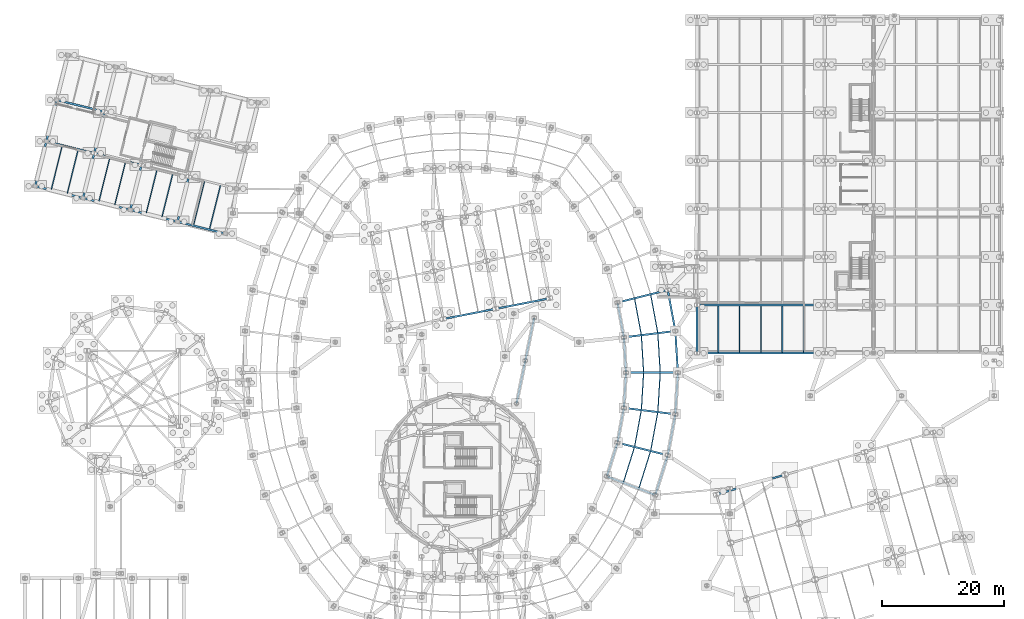
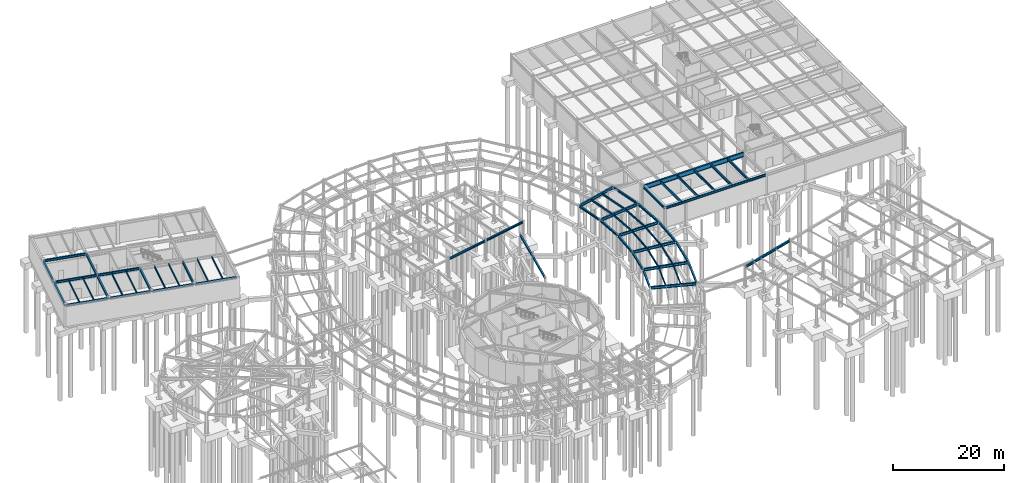
# One storey, part 32 of 50: 60 beams.
"""IFC4 building model written with IfcOpenShell, lengths in metres."""

from ifc_helpers import new_model, si_unit, direction, frame, origin, origin_2d, place, context, subcontext, project, spatial, i_section, extrude, material, material_profile, profile_set, type_object, element, save


model = new_model("IFC4")

# Units and contexts
model_context = context("Model", 3, precision=1e-05, world=origin(), true_north=direction((0.0, 1.0)))
body_context = subcontext(model_context, "Body", "Model", "MODEL_VIEW")
ifc_project = project(units=[si_unit("LENGTHUNIT", "METRE"), si_unit("AREAUNIT", "SQUARE_METRE"), si_unit("VOLUMEUNIT", "CUBIC_METRE"), si_unit("PLANEANGLEUNIT", "RADIAN"), si_unit("MASSUNIT", "GRAM", prefix="KILO")], contexts=[model_context])

# Site, building, storey
site_placement = place(None, origin())
site = spatial("IfcSite", under=ifc_project, at=site_placement, CompositionType="ELEMENT")
building_placement = place(site_placement, origin())
building = spatial("IfcBuilding", under=site, at=building_placement, Name="Varnklinge Art Gallery", CompositionType="ELEMENT")
storey_placement = place(building_placement, frame((0.0, 0.0, -4.800048828125)))
storey = spatial("IfcBuildingStorey", under=building, at=storey_placement, Name="B01", CompositionType="ELEMENT", Elevation=-4.800048828125)

# Beams
ifc_material_1 = material(Name="Steel S355", Category="steel")
ifc_material_profile_1 = material_profile(ifc_material_1, i_section(OverallWidth=0.300048828125, OverallDepth=1.0, WebThickness=0.01904296875, FlangeThickness=0.035888671875, FilletRadius=0.030029296875, at=origin_2d()), Name="HEB 1000")
ifc_profile_set_1 = profile_set([ifc_material_profile_1], Name="Steel S355")
beam_type_1 = type_object("IfcBeamType", Name="BM-01", PredefinedType="BEAM", material=ifc_profile_set_1)
beam_1_placement = place(storey_placement, frame((114.5400390625, 66.10009765625, 4.050048828125), z_axis=(1.0, 0.0, 0.0), x_axis=(0.0, 1.0, 0.0)))
element("IfcBeam", 1, at=beam_1_placement, inside=storey, type_object=beam_type_1, Name="B01 BM-01 BM-V1-L00-X1-0", PredefinedType="BEAM", context=body_context, shape_type="SweptSolid", body=[
    extrude(i_section(OverallWidth=0.300048828125, OverallDepth=1.0, WebThickness=0.01904296875, FlangeThickness=0.035888671875, FilletRadius=0.030029296875, at=origin_2d()), origin(), (0.0, 0.0, 1.0), 20.719970703125),
])
ifc_material_2 = material(Name="Steel S355", Category="steel")
ifc_material_profile_2 = material_profile(ifc_material_2, i_section(OverallWidth=0.300048828125, OverallDepth=0.590087890625, WebThickness=0.012939453125, FlangeThickness=0.02490234375, FilletRadius=0.027099609375, at=origin_2d()), Name="HEA 600")
ifc_profile_set_2 = profile_set([ifc_material_profile_2], Name="Steel S355")
beam_type_2 = type_object("IfcBeamType", Name="BM-06", PredefinedType="BEAM", material=ifc_profile_set_2)
beam_2_placement = place(storey_placement, frame((107.415771484375, 34.952880859375, 4.255126953125), z_axis=(-0.934013153302, 0.357238616976, 0.0), x_axis=(-0.357238616976, -0.934013153302, 0.0)))
element("IfcBeam", 2, at=beam_2_placement, inside=storey, type_object=beam_type_2, Name="B01 BM-06 BM-V2-L00-R04", PredefinedType="BEAM", context=body_context, shape_type="SweptSolid", body=[
    extrude(i_section(OverallWidth=0.300048828125, OverallDepth=0.590087890625, WebThickness=0.012939453125, FlangeThickness=0.02490234375, FilletRadius=0.027099609375, at=origin_2d()), origin(), (0.0, 0.0, 1.0), 8.237060546875),
])
beam_3_placement = place(storey_placement, frame((109.46240234375, 41.468017578125, 4.255126953125), z_axis=(-0.970493677731, 0.241126567355, 0.0), x_axis=(-0.241126567355, -0.970493677731, 0.0)))
element("IfcBeam", 3, at=beam_3_placement, inside=storey, type_object=beam_type_2, Name="B01 BM-06 BM-V2-L00-R05", PredefinedType="BEAM", context=body_context, shape_type="SweptSolid", body=[
    extrude(i_section(OverallWidth=0.300048828125, OverallDepth=0.590087890625, WebThickness=0.012939453125, FlangeThickness=0.02490234375, FilletRadius=0.027099609375, at=origin_2d()), origin(), (0.0, 0.0, 1.0), 8.236572265625),
])
for number, where, z_axis, x_axis, name in (
    (4, (110.702880859375, 48.18359375, 4.255126953125), (-0.992595580805, 0.121466098009, 0.0), (-0.121466098009, -0.992595580805, 0.0), "B01 BM-06 BM-V2-L00-R06"),
    (5, (111.118408203125, 55.0, 4.255126953125), (-1.0, 0.0, 0.0), (0.0, -1.0, 0.0), "B01 BM-06 BM-V2-L00-R07"),
    (6, (110.702880859375, 61.81640625, 4.255126953125), (-0.992595580805, -0.121466098009, 0.0), (0.121466098009, -0.992595580805, 0.0), "B01 BM-06 BM-V2-L00-R08"),
):
    element("IfcBeam", number, at=place(storey_placement, frame(where, z_axis=z_axis, x_axis=x_axis)), inside=storey, type_object=beam_type_2, Name=name, PredefinedType="BEAM", context=body_context, shape_type="SweptSolid", body=[
        extrude(i_section(OverallWidth=0.300048828125, OverallDepth=0.590087890625, WebThickness=0.012939453125, FlangeThickness=0.02490234375, FilletRadius=0.027099609375, at=origin_2d()), origin(), (0.0, 0.0, 1.0), 8.23681640625),
    ])
beam_4_placement = place(storey_placement, frame((109.46240234375, 68.531982421875, 4.255126953125), z_axis=(-0.970493677731, -0.241126567355, 0.0), x_axis=(0.241126567355, -0.970493677731, 0.0)))
element("IfcBeam", 7, at=beam_4_placement, inside=storey, type_object=beam_type_2, Name="B01 BM-06 BM-V2-L00-R09", PredefinedType="BEAM", context=body_context, shape_type="SweptSolid", body=[
    extrude(i_section(OverallWidth=0.300048828125, OverallDepth=0.590087890625, WebThickness=0.012939453125, FlangeThickness=0.02490234375, FilletRadius=0.027099609375, at=origin_2d()), origin(), (0.0, 0.0, 1.0), 8.236572265625),
])
ifc_material_3 = material(Name="Steel S355", Category="steel")
ifc_material_profile_3 = material_profile(ifc_material_3, i_section(OverallWidth=0.300048828125, OverallDepth=0.489990234375, WebThickness=0.011962890625, FlangeThickness=0.02294921875, FilletRadius=0.027099609375, at=origin_2d()), Name="HEA 500")
ifc_profile_set_3 = profile_set([ifc_material_profile_3], Name="Steel S355")
beam_type_3 = type_object("IfcBeamType", Name="BM-07", PredefinedType="BEAM", material=ifc_profile_set_3)
beam_5_placement = place(storey_placement, frame((5.82861328125, 85.5908203125, 4.304931640625), z_axis=(0.970296564102, -0.241918535239, 0.0), x_axis=(0.241918535239, 0.970296564102, 0.0)))
element("IfcBeam", 8, at=beam_5_placement, inside=storey, type_object=beam_type_3, Name="B01 BM-07 BM-V5-L00-U0-0", PredefinedType="BEAM", context=body_context, shape_type="SweptSolid", body=[
    extrude(i_section(OverallWidth=0.300048828125, OverallDepth=0.489990234375, WebThickness=0.011962890625, FlangeThickness=0.02294921875, FilletRadius=0.027099609375, at=origin_2d()), origin(), (0.0, 0.0, 1.0), 7.820068359375),
])
beam_6_placement = place(storey_placement, frame((13.68798828125, 83.631103515625, 4.304931640625), z_axis=(0.970304122122, -0.241888219213, 0.0), x_axis=(0.241888219213, 0.970304122122, 0.0)))
element("IfcBeam", 9, at=beam_6_placement, inside=storey, type_object=beam_type_3, Name="B01 BM-07 BM-V5-L00-U0-1", PredefinedType="BEAM", context=body_context, shape_type="SweptSolid", body=[
    extrude(i_section(OverallWidth=0.300048828125, OverallDepth=0.489990234375, WebThickness=0.011962890625, FlangeThickness=0.02294921875, FilletRadius=0.027099609375, at=origin_2d()), origin(), (0.0, 0.0, 1.0), 7.72021484375),
])
beam_7_placement = place(storey_placement, frame((21.450439453125, 81.69580078125, 4.304931640625), z_axis=(0.970294848706, -0.241925415312, 0.0), x_axis=(0.241925415312, 0.970294848706, 0.0)))
element("IfcBeam", 10, at=beam_7_placement, inside=storey, type_object=beam_type_3, Name="B01 BM-07 BM-V5-L00-U0-2", PredefinedType="BEAM", context=body_context, shape_type="SweptSolid", body=[
    extrude(i_section(OverallWidth=0.300048828125, OverallDepth=0.489990234375, WebThickness=0.011962890625, FlangeThickness=0.02294921875, FilletRadius=0.027099609375, at=origin_2d()), origin(), (0.0, 0.0, 1.0), 7.719970703125),
])
beam_8_placement = place(storey_placement, frame((29.212890625, 79.760498046875, 4.304931640625), z_axis=(0.970294736921, -0.241925863651, 0.0), x_axis=(0.241925863651, 0.970294736921, 0.0)))
element("IfcBeam", 11, at=beam_8_placement, inside=storey, type_object=beam_type_3, Name="B01 BM-07 BM-V5-L00-U0-3", PredefinedType="BEAM", context=body_context, shape_type="SweptSolid", body=[
    extrude(i_section(OverallWidth=0.300048828125, OverallDepth=0.489990234375, WebThickness=0.011962890625, FlangeThickness=0.02294921875, FilletRadius=0.027099609375, at=origin_2d()), origin(), (0.0, 0.0, 1.0), 7.81982421875),
])
beam_9_placement = place(storey_placement, frame((7.667236328125, 92.965087890625, 4.304931640625), z_axis=(0.970296564102, -0.241918535239, 0.0), x_axis=(0.241918535239, 0.970296564102, 0.0)))
element("IfcBeam", 12, at=beam_9_placement, inside=storey, type_object=beam_type_3, Name="B01 BM-07 BM-V5-L00-U1-0", PredefinedType="BEAM", context=body_context, shape_type="SweptSolid", body=[
    extrude(i_section(OverallWidth=0.300048828125, OverallDepth=0.489990234375, WebThickness=0.011962890625, FlangeThickness=0.02294921875, FilletRadius=0.027099609375, at=origin_2d()), origin(), (0.0, 0.0, 1.0), 7.820068359375),
])
beam_10_placement = place(storey_placement, frame((15.526611328125, 91.00537109375, 4.304931640625), z_axis=(0.970304122122, -0.241888219213, 0.0), x_axis=(0.241888219213, 0.970304122122, 0.0)))
element("IfcBeam", 13, at=beam_10_placement, inside=storey, type_object=beam_type_3, Name="B01 BM-07 BM-V5-L00-U1-1", PredefinedType="BEAM", context=body_context, shape_type="SweptSolid", body=[
    extrude(i_section(OverallWidth=0.300048828125, OverallDepth=0.489990234375, WebThickness=0.011962890625, FlangeThickness=0.02294921875, FilletRadius=0.027099609375, at=origin_2d()), origin(), (0.0, 0.0, 1.0), 7.72021484375),
])
beam_11_placement = place(storey_placement, frame((9.36083984375, 99.757080078125, 4.304931640625), z_axis=(0.970294736921, -0.241925863651, 0.0), x_axis=(0.241925863651, 0.970294736921, 0.0)))
element("IfcBeam", 14, at=beam_11_placement, inside=storey, type_object=beam_type_3, Name="B01 BM-07 BM-V5-L00-U2-0", PredefinedType="BEAM", context=body_context, shape_type="SweptSolid", body=[
    extrude(i_section(OverallWidth=0.300048828125, OverallDepth=0.489990234375, WebThickness=0.011962890625, FlangeThickness=0.02294921875, FilletRadius=0.027099609375, at=origin_2d()), origin(), (0.0, 0.0, 1.0), 7.81982421875),
])
beam_12_placement = place(storey_placement, frame((117.740478515625, 35.03173828125, 4.304931640625), z_axis=(0.961257274888, 0.275652773383, 0.0), x_axis=(-0.275652773383, 0.961257274888, 0.0)))
element("IfcBeam", 15, at=beam_12_placement, inside=storey, type_object=beam_type_3, Name="B01 BM-07 BM-V6-L00-U3-0", PredefinedType="BEAM", context=body_context, shape_type="SweptSolid", body=[
    extrude(i_section(OverallWidth=0.300048828125, OverallDepth=0.489990234375, WebThickness=0.011962890625, FlangeThickness=0.02294921875, FilletRadius=0.027099609375, at=origin_2d()), origin(), (0.0, 0.0, 1.0), 11.419921875),
])
ifc_material_4 = material(Name="Steel S355", Category="steel")
ifc_material_profile_4 = material_profile(ifc_material_4, i_section(OverallWidth=0.300048828125, OverallDepth=0.43994140625, WebThickness=0.011474609375, FlangeThickness=0.02099609375, FilletRadius=0.027099609375, at=origin_2d()), Name="HEA 450")
ifc_profile_set_4 = profile_set([ifc_material_profile_4], Name="Steel S355")
beam_type_4 = type_object("IfcBeamType", Name="BM-08", PredefinedType="BEAM", material=ifc_profile_set_4)
beam_13_placement = place(storey_placement, frame((107.58837890625, 35.036376953125, 4.330078125), z_axis=(0.299727009364, 0.95402501008, 0.0), x_axis=(-0.95402501008, 0.299727009364, 0.0)))
element("IfcBeam", 16, at=beam_13_placement, inside=storey, type_object=beam_type_4, Name="B01 BM-08 BM-V2-L00-O04", PredefinedType="BEAM", context=body_context, shape_type="SweptSolid", body=[
    extrude(i_section(OverallWidth=0.300048828125, OverallDepth=0.43994140625, WebThickness=0.011474609375, FlangeThickness=0.02099609375, FilletRadius=0.027099609375, at=origin_2d()), origin(), (0.0, 0.0, 1.0), 6.56591796875),
])
beam_14_placement = place(storey_placement, frame((99.63330078125, 38.0791015625, 4.330078125), z_axis=(0.299742786947, 0.954020053077, 0.0), x_axis=(-0.954020053077, 0.299742786947, 0.0)))
element("IfcBeam", 17, at=beam_14_placement, inside=storey, type_object=beam_type_4, Name="B01 BM-08 BM-V2-L00-I04", PredefinedType="BEAM", context=body_context, shape_type="SweptSolid", body=[
    extrude(i_section(OverallWidth=0.300048828125, OverallDepth=0.43994140625, WebThickness=0.011474609375, FlangeThickness=0.02099609375, FilletRadius=0.027099609375, at=origin_2d()), origin(), (0.0, 0.0, 1.0), 5.529541015625),
])
beam_15_placement = place(storey_placement, frame((109.623779296875, 41.572021484375, 4.330078125), z_axis=(0.181672496831, 0.983359092039, 0.0), x_axis=(-0.983359092039, 0.181672496831, 0.0)))
element("IfcBeam", 18, at=beam_15_placement, inside=storey, type_object=beam_type_4, Name="B01 BM-08 BM-V2-L00-O05", PredefinedType="BEAM", context=body_context, shape_type="SweptSolid", body=[
    extrude(i_section(OverallWidth=0.300048828125, OverallDepth=0.43994140625, WebThickness=0.011474609375, FlangeThickness=0.02099609375, FilletRadius=0.027099609375, at=origin_2d()), origin(), (0.0, 0.0, 1.0), 6.566162109375),
])
beam_16_placement = place(storey_placement, frame((101.358154296875, 43.625732421875, 4.330078125), z_axis=(0.181635496942, 0.983365926932, 0.0), x_axis=(-0.983365926932, 0.181635496942, 0.0)))
element("IfcBeam", 19, at=beam_16_placement, inside=storey, type_object=beam_type_4, Name="B01 BM-08 BM-V2-L00-I05", PredefinedType="BEAM", context=body_context, shape_type="SweptSolid", body=[
    extrude(i_section(OverallWidth=0.300048828125, OverallDepth=0.43994140625, WebThickness=0.011474609375, FlangeThickness=0.02099609375, FilletRadius=0.027099609375, at=origin_2d()), origin(), (0.0, 0.0, 1.0), 5.52978515625),
])
beam_17_placement = place(storey_placement, frame((110.8505859375, 48.30615234375, 4.330078125), z_axis=(0.060827334582, 0.998148303293, 0.0), x_axis=(-0.998148303293, 0.060827334582, 0.0)))
element("IfcBeam", 20, at=beam_17_placement, inside=storey, type_object=beam_type_4, Name="B01 BM-08 BM-V2-L00-O06", PredefinedType="BEAM", context=body_context, shape_type="SweptSolid", body=[
    extrude(i_section(OverallWidth=0.300048828125, OverallDepth=0.43994140625, WebThickness=0.011474609375, FlangeThickness=0.02099609375, FilletRadius=0.027099609375, at=origin_2d()), origin(), (0.0, 0.0, 1.0), 6.56640625),
])
beam_18_placement = place(storey_placement, frame((102.396484375, 49.3408203125, 4.330078125), z_axis=(0.06083896784, 0.998147594293, 0.0), x_axis=(-0.998147594293, 0.06083896784, 0.0)))
element("IfcBeam", 21, at=beam_18_placement, inside=storey, type_object=beam_type_4, Name="B01 BM-08 BM-V2-L00-I06", PredefinedType="BEAM", context=body_context, shape_type="SweptSolid", body=[
    extrude(i_section(OverallWidth=0.300048828125, OverallDepth=0.43994140625, WebThickness=0.011474609375, FlangeThickness=0.02099609375, FilletRadius=0.027099609375, at=origin_2d()), origin(), (0.0, 0.0, 1.0), 5.52978515625),
])
beam_19_placement = place(storey_placement, frame((111.25, 55.1396484375, 4.330078125), z_axis=(-0.060827334582, 0.998148303293, 0.0), x_axis=(-0.998148303293, -0.060827334582, 0.0)))
element("IfcBeam", 22, at=beam_19_placement, inside=storey, type_object=beam_type_4, Name="B01 BM-08 BM-V2-L00-O07", PredefinedType="BEAM", context=body_context, shape_type="SweptSolid", body=[
    extrude(i_section(OverallWidth=0.300048828125, OverallDepth=0.43994140625, WebThickness=0.011474609375, FlangeThickness=0.02099609375, FilletRadius=0.027099609375, at=origin_2d()), origin(), (0.0, 0.0, 1.0), 6.56640625),
])
beam_20_placement = place(storey_placement, frame((102.73291015625, 55.1396484375, 4.330078125), z_axis=(-0.06083896784, 0.998147594293, 0.0), x_axis=(-0.998147594293, -0.06083896784, 0.0)))
element("IfcBeam", 23, at=beam_20_placement, inside=storey, type_object=beam_type_4, Name="B01 BM-08 BM-V2-L00-I07", PredefinedType="BEAM", context=body_context, shape_type="SweptSolid", body=[
    extrude(i_section(OverallWidth=0.300048828125, OverallDepth=0.43994140625, WebThickness=0.011474609375, FlangeThickness=0.02099609375, FilletRadius=0.027099609375, at=origin_2d()), origin(), (0.0, 0.0, 1.0), 5.52978515625),
])
beam_21_placement = place(storey_placement, frame((110.816650390625, 61.97119140625, 4.330078125), z_axis=(-0.181672496831, 0.983359092039, 0.0), x_axis=(-0.983359092039, -0.181672496831, 0.0)))
element("IfcBeam", 24, at=beam_21_placement, inside=storey, type_object=beam_type_4, Name="B01 BM-08 BM-V2-L00-O08", PredefinedType="BEAM", context=body_context, shape_type="SweptSolid", body=[
    extrude(i_section(OverallWidth=0.300048828125, OverallDepth=0.43994140625, WebThickness=0.011474609375, FlangeThickness=0.02099609375, FilletRadius=0.027099609375, at=origin_2d()), origin(), (0.0, 0.0, 1.0), 6.566162109375),
])
beam_22_placement = place(storey_placement, frame((102.362548828125, 60.9365234375, 4.330078125), z_axis=(-0.181635496942, 0.983365926932, 0.0), x_axis=(-0.983365926932, -0.181635496942, 0.0)))
element("IfcBeam", 25, at=beam_22_placement, inside=storey, type_object=beam_type_4, Name="B01 BM-08 BM-V2-L00-I08", PredefinedType="BEAM", context=body_context, shape_type="SweptSolid", body=[
    extrude(i_section(OverallWidth=0.300048828125, OverallDepth=0.43994140625, WebThickness=0.011474609375, FlangeThickness=0.02099609375, FilletRadius=0.027099609375, at=origin_2d()), origin(), (0.0, 0.0, 1.0), 5.52978515625),
])
beam_23_placement = place(storey_placement, frame((72.8447265625, 63.833984375, 4.330078125), z_axis=(0.981626572932, 0.190812136181, 0.0), x_axis=(-0.190812136181, 0.981626572932, 0.0)))
element("IfcBeam", 26, at=beam_23_placement, inside=storey, type_object=beam_type_4, Name="B01 BM-08 BM-V4B-L00-U0-1", PredefinedType="BEAM", context=body_context, shape_type="SweptSolid", body=[
    extrude(i_section(OverallWidth=0.300048828125, OverallDepth=0.43994140625, WebThickness=0.011474609375, FlangeThickness=0.02099609375, FilletRadius=0.027099609375, at=origin_2d()), origin(), (0.0, 0.0, 1.0), 8.52001953125),
])
beam_24_placement = place(storey_placement, frame((81.48291015625, 65.51318359375, 4.330078125), z_axis=(0.981629083791, 0.190799218699, 0.0), x_axis=(-0.190799218699, 0.981629083791, 0.0)))
element("IfcBeam", 27, at=beam_24_placement, inside=storey, type_object=beam_type_4, Name="B01 BM-08 BM-V4B-L00-U0-2", PredefinedType="BEAM", context=body_context, shape_type="SweptSolid", body=[
    extrude(i_section(OverallWidth=0.300048828125, OverallDepth=0.43994140625, WebThickness=0.011474609375, FlangeThickness=0.02099609375, FilletRadius=0.027099609375, at=origin_2d()), origin(), (0.0, 0.0, 1.0), 8.72021484375),
])
beam_25_placement = place(storey_placement, frame((5.726806640625, 85.760498046875, 4.330078125), z_axis=(0.241907757102, 0.97029925129, 0.0), x_axis=(-0.97029925129, 0.241907757102, 0.0)))
element("IfcBeam", 28, at=beam_25_placement, inside=storey, type_object=beam_type_4, Name="B01 BM-08 BM-V5-L00-V0-0", PredefinedType="BEAM", context=body_context, shape_type="SweptSolid", body=[
    extrude(i_section(OverallWidth=0.300048828125, OverallDepth=0.43994140625, WebThickness=0.011474609375, FlangeThickness=0.02099609375, FilletRadius=0.027099609375, at=origin_2d()), origin(), (0.0, 0.0, 1.0), 7.320068359375),
])
beam_26_placement = place(storey_placement, frame((7.5654296875, 93.134765625, 4.330078125), z_axis=(0.241920106756, 0.970296172283, 0.0), x_axis=(-0.970296172283, 0.241920106756, 0.0)))
element("IfcBeam", 29, at=beam_26_placement, inside=storey, type_object=beam_type_4, Name="B01 BM-08 BM-V5-L00-V0-1", PredefinedType="BEAM", context=body_context, shape_type="SweptSolid", body=[
    extrude(i_section(OverallWidth=0.300048828125, OverallDepth=0.43994140625, WebThickness=0.011474609375, FlangeThickness=0.02099609375, FilletRadius=0.027099609375, at=origin_2d()), origin(), (0.0, 0.0, 1.0), 6.72021484375),
])
beam_27_placement = place(storey_placement, frame((13.586181640625, 83.80078125, 4.330078125), z_axis=(0.241899928684, 0.970301202979, 0.0), x_axis=(-0.970301202979, 0.241899928684, 0.0)))
element("IfcBeam", 30, at=beam_27_placement, inside=storey, type_object=beam_type_4, Name="B01 BM-08 BM-V5-L00-V1-0", PredefinedType="BEAM", context=body_context, shape_type="SweptSolid", body=[
    extrude(i_section(OverallWidth=0.300048828125, OverallDepth=0.43994140625, WebThickness=0.011474609375, FlangeThickness=0.02099609375, FilletRadius=0.027099609375, at=origin_2d()), origin(), (0.0, 0.0, 1.0), 7.320068359375),
])
beam_28_placement = place(storey_placement, frame((15.4248046875, 91.175048828125, 4.330078125), z_axis=(0.241920106756, 0.970296172283, 0.0), x_axis=(-0.970296172283, 0.241920106756, 0.0)))
element("IfcBeam", 31, at=beam_28_placement, inside=storey, type_object=beam_type_4, Name="B01 BM-08 BM-V5-L00-V1-1", PredefinedType="BEAM", context=body_context, shape_type="SweptSolid", body=[
    extrude(i_section(OverallWidth=0.300048828125, OverallDepth=0.43994140625, WebThickness=0.011474609375, FlangeThickness=0.02099609375, FilletRadius=0.027099609375, at=origin_2d()), origin(), (0.0, 0.0, 1.0), 6.72021484375),
])
for number, where, z_axis, x_axis, name in (
    (32, (21.3486328125, 81.865478515625, 4.330078125), (0.241899928684, 0.970301202979, 0.0), (-0.970301202979, 0.241899928684, 0.0), "B01 BM-08 BM-V5-L00-V2-0"),
    (33, (29.11083984375, 79.93017578125, 4.330078125), (0.241907757102, 0.97029925129, 0.0), (-0.97029925129, 0.241907757102, 0.0), "B01 BM-08 BM-V5-L00-V3-0"),
):
    element("IfcBeam", number, at=place(storey_placement, frame(where, z_axis=z_axis, x_axis=x_axis)), inside=storey, type_object=beam_type_4, Name=name, PredefinedType="BEAM", context=body_context, shape_type="SweptSolid", body=[
        extrude(i_section(OverallWidth=0.300048828125, OverallDepth=0.43994140625, WebThickness=0.011474609375, FlangeThickness=0.02099609375, FilletRadius=0.027099609375, at=origin_2d()), origin(), (0.0, 0.0, 1.0), 7.320068359375),
    ])
ifc_material_5 = material(Name="Steel S355", Category="steel")
ifc_material_profile_5 = material_profile(ifc_material_5, i_section(OverallWidth=0.300048828125, OverallDepth=0.389892578125, WebThickness=0.010986328125, FlangeThickness=0.01904296875, FilletRadius=0.027099609375, at=origin_2d()), Name="HEA 400")
ifc_profile_set_5 = profile_set([ifc_material_profile_5], Name="Steel S355")
beam_type_5 = type_object("IfcBeamType", Name="BM-09", PredefinedType="BEAM", material=ifc_profile_set_5)
for number, where, z_axis, x_axis, name in (
    (34, (84.76318359375, 49.956787109375, 4.35498046875), (0.201460424321, 0.979496655141, 0.0), (-0.979496655141, 0.201460424321, 0.0), "B01 BM-09 BM-BRG-2-B01-L1"),
    (35, (86.21484375, 57.014892578125, 4.35498046875), (0.201427367044, 0.979503453698, 0.0), (-0.979503453698, 0.201427367044, 0.0), "B01 BM-09 BM-BRG-2-B01-L2"),
):
    element("IfcBeam", number, at=place(storey_placement, frame(where, z_axis=z_axis, x_axis=x_axis)), inside=storey, type_object=beam_type_5, Name=name, PredefinedType="BEAM", context=body_context, shape_type="SweptSolid", body=[
        extrude(i_section(OverallWidth=0.300048828125, OverallDepth=0.389892578125, WebThickness=0.010986328125, FlangeThickness=0.01904296875, FilletRadius=0.027099609375, at=origin_2d()), origin(), (0.0, 0.0, 1.0), 7.085693359375),
    ])
ifc_material_6 = material(Name="Steel S355", Category="steel")
ifc_material_profile_6 = material_profile(ifc_material_6, i_section(OverallWidth=0.2099609375, OverallDepth=0.550048828125, WebThickness=0.010986328125, FlangeThickness=0.01708984375, FilletRadius=0.02392578125, at=origin_2d()), Name="IPE 550")
ifc_profile_set_6 = profile_set([ifc_material_profile_6], Name="Steel S355")
beam_type_6 = type_object("IfcBeamType", Name="JST-02", PredefinedType="JOIST", material=ifc_profile_set_6)
for number, where, z_axis, x_axis, name in (
    (36, (117.89990234375, 58.340087890625, 4.275146484375), (0.0, 1.0, 0.0), (-1.0, 0.0, 0.0), "B01 JST-02 JST-V1-L00-0-0-1"),
    (37, (121.39990234375, 58.340087890625, 4.275146484375), (0.0, 1.0, 0.0), (-1.0, 0.0, 0.0), "B01 JST-02 JST-V1-L00-0-0-2"),
    (38, (124.89990234375, 58.340087890625, 4.275146484375), (0.0, 1.0, 0.0), (-1.0, 0.0, 0.0), "B01 JST-02 JST-V1-L00-0-0-3"),
    (39, (128.39990234375, 58.340087890625, 4.275146484375), (0.0, 1.0, 0.0), (-1.0, 0.0, 0.0), "B01 JST-02 JST-V1-L00-0-0-4"),
    (40, (131.89990234375, 58.340087890625, 4.275146484375), (0.0, 1.0, 0.0), (-1.0, 0.0, 0.0), "B01 JST-02 JST-V1-L00-0-0-5"),
):
    element("IfcBeam", number, at=place(storey_placement, frame(where, z_axis=z_axis, x_axis=x_axis)), inside=storey, type_object=beam_type_6, Name=name, PredefinedType="JOIST", context=body_context, shape_type="SweptSolid", body=[
        extrude(i_section(OverallWidth=0.2099609375, OverallDepth=0.550048828125, WebThickness=0.010986328125, FlangeThickness=0.01708984375, FilletRadius=0.02392578125, at=origin_2d()), origin(), (0.0, 0.0, 1.0), 7.619873046875),
    ])
ifc_material_7 = material(Name="Steel S355", Category="steel")
ifc_material_profile_7 = material_profile(ifc_material_7, i_section(OverallWidth=0.179931640625, OverallDepth=0.39990234375, WebThickness=0.008544921875, FlangeThickness=0.013427734375, FilletRadius=0.02099609375, at=origin_2d()), Name="IPE 400")
ifc_profile_set_7 = profile_set([ifc_material_profile_7], Name="Steel S355")
beam_type_7 = type_object("IfcBeamType", Name="JST-05", PredefinedType="JOIST", material=ifc_profile_set_7)
beam_29_placement = place(storey_placement, frame((104.8837890625, 36.07080078125, 4.35009765625), z_axis=(0.29971318729, 0.954029352465, 0.0), x_axis=(-0.954029352465, 0.29971318729, 0.0)))
element("IfcBeam", 41, at=beam_29_placement, inside=storey, type_object=beam_type_7, Name="B01 JST-05 JST-V2-L00-04-1", PredefinedType="JOIST", context=body_context, shape_type="SweptSolid", body=[
    extrude(i_section(OverallWidth=0.179931640625, OverallDepth=0.39990234375, WebThickness=0.008544921875, FlangeThickness=0.013427734375, FilletRadius=0.02099609375, at=origin_2d()), origin(), (0.0, 0.0, 1.0), 6.213623046875),
])
beam_30_placement = place(storey_placement, frame((102.337890625, 37.04443359375, 4.35009765625), z_axis=(0.299756442746, 0.954015762465, 0.0), x_axis=(-0.954015762465, 0.299756442746, 0.0)))
element("IfcBeam", 42, at=beam_30_placement, inside=storey, type_object=beam_type_7, Name="B01 JST-05 JST-V2-L00-04-2", PredefinedType="JOIST", context=body_context, shape_type="SweptSolid", body=[
    extrude(i_section(OverallWidth=0.179931640625, OverallDepth=0.39990234375, WebThickness=0.008544921875, FlangeThickness=0.013427734375, FilletRadius=0.02099609375, at=origin_2d()), origin(), (0.0, 0.0, 1.0), 5.882080078125),
])
beam_31_placement = place(storey_placement, frame((106.8134765625, 42.270263671875, 4.35009765625), z_axis=(0.181640421722, 0.983365017273, 0.0), x_axis=(-0.983365017273, 0.181640421722, 0.0)))
element("IfcBeam", 43, at=beam_31_placement, inside=storey, type_object=beam_type_7, Name="B01 JST-05 JST-V2-L00-05-1", PredefinedType="JOIST", context=body_context, shape_type="SweptSolid", body=[
    extrude(i_section(OverallWidth=0.179931640625, OverallDepth=0.39990234375, WebThickness=0.008544921875, FlangeThickness=0.013427734375, FilletRadius=0.02099609375, at=origin_2d()), origin(), (0.0, 0.0, 1.0), 6.213623046875),
])
beam_32_placement = place(storey_placement, frame((104.16845703125, 42.927490234375, 4.35009765625), z_axis=(0.181631460363, 0.983366672512, 0.0), x_axis=(-0.983366672512, 0.181631460363, 0.0)))
element("IfcBeam", 44, at=beam_32_placement, inside=storey, type_object=beam_type_7, Name="B01 JST-05 JST-V2-L00-05-2", PredefinedType="JOIST", context=body_context, shape_type="SweptSolid", body=[
    extrude(i_section(OverallWidth=0.179931640625, OverallDepth=0.39990234375, WebThickness=0.008544921875, FlangeThickness=0.013427734375, FilletRadius=0.02099609375, at=origin_2d()), origin(), (0.0, 0.0, 1.0), 5.882080078125),
])
beam_33_placement = place(storey_placement, frame((107.976318359375, 48.657958984375, 4.35009765625), z_axis=(0.060820084919, 0.998148745063, 0.0), x_axis=(-0.998148745063, 0.060820084919, 0.0)))
element("IfcBeam", 45, at=beam_33_placement, inside=storey, type_object=beam_type_7, Name="B01 JST-05 JST-V2-L00-06-1", PredefinedType="JOIST", context=body_context, shape_type="SweptSolid", body=[
    extrude(i_section(OverallWidth=0.179931640625, OverallDepth=0.39990234375, WebThickness=0.008544921875, FlangeThickness=0.013427734375, FilletRadius=0.02099609375, at=origin_2d()), origin(), (0.0, 0.0, 1.0), 6.2138671875),
])
beam_34_placement = place(storey_placement, frame((105.27099609375, 48.989013671875, 4.35009765625), z_axis=(0.060845929193, 0.998147169961, 0.0), x_axis=(-0.998147169961, 0.060845929193, 0.0)))
element("IfcBeam", 46, at=beam_34_placement, inside=storey, type_object=beam_type_7, Name="B01 JST-05 JST-V2-L00-06-2", PredefinedType="JOIST", context=body_context, shape_type="SweptSolid", body=[
    extrude(i_section(OverallWidth=0.179931640625, OverallDepth=0.39990234375, WebThickness=0.008544921875, FlangeThickness=0.013427734375, FilletRadius=0.02099609375, at=origin_2d()), origin(), (0.0, 0.0, 1.0), 5.88232421875),
])
beam_35_placement = place(storey_placement, frame((108.354248046875, 55.1396484375, 4.35009765625), z_axis=(-0.060820084919, 0.998148745063, 0.0), x_axis=(-0.998148745063, -0.060820084919, 0.0)))
element("IfcBeam", 47, at=beam_35_placement, inside=storey, type_object=beam_type_7, Name="B01 JST-05 JST-V2-L00-07-1", PredefinedType="JOIST", context=body_context, shape_type="SweptSolid", body=[
    extrude(i_section(OverallWidth=0.179931640625, OverallDepth=0.39990234375, WebThickness=0.008544921875, FlangeThickness=0.013427734375, FilletRadius=0.02099609375, at=origin_2d()), origin(), (0.0, 0.0, 1.0), 6.2138671875),
])
beam_36_placement = place(storey_placement, frame((105.62890625, 55.1396484375, 4.35009765625), z_axis=(-0.060845929193, 0.998147169961, 0.0), x_axis=(-0.998147169961, -0.060845929193, 0.0)))
element("IfcBeam", 48, at=beam_36_placement, inside=storey, type_object=beam_type_7, Name="B01 JST-05 JST-V2-L00-07-2", PredefinedType="JOIST", context=body_context, shape_type="SweptSolid", body=[
    extrude(i_section(OverallWidth=0.179931640625, OverallDepth=0.39990234375, WebThickness=0.008544921875, FlangeThickness=0.013427734375, FilletRadius=0.02099609375, at=origin_2d()), origin(), (0.0, 0.0, 1.0), 5.88232421875),
])
beam_37_placement = place(storey_placement, frame((107.942138671875, 61.619384765625, 4.35009765625), z_axis=(-0.181640421722, 0.983365017273, 0.0), x_axis=(-0.983365017273, -0.181640421722, 0.0)))
element("IfcBeam", 49, at=beam_37_placement, inside=storey, type_object=beam_type_7, Name="B01 JST-05 JST-V2-L00-08-1", PredefinedType="JOIST", context=body_context, shape_type="SweptSolid", body=[
    extrude(i_section(OverallWidth=0.179931640625, OverallDepth=0.39990234375, WebThickness=0.008544921875, FlangeThickness=0.013427734375, FilletRadius=0.02099609375, at=origin_2d()), origin(), (0.0, 0.0, 1.0), 6.213623046875),
])
beam_38_placement = place(storey_placement, frame((105.23681640625, 61.288330078125, 4.35009765625), z_axis=(-0.181631460363, 0.983366672512, 0.0), x_axis=(-0.983366672512, -0.181631460363, 0.0)))
element("IfcBeam", 50, at=beam_38_placement, inside=storey, type_object=beam_type_7, Name="B01 JST-05 JST-V2-L00-08-2", PredefinedType="JOIST", context=body_context, shape_type="SweptSolid", body=[
    extrude(i_section(OverallWidth=0.179931640625, OverallDepth=0.39990234375, WebThickness=0.008544921875, FlangeThickness=0.013427734375, FilletRadius=0.02099609375, at=origin_2d()), origin(), (0.0, 0.0, 1.0), 5.882080078125),
])
ifc_material_8 = material(Name="Steel S355", Category="steel")
ifc_material_profile_8 = material_profile(ifc_material_8, i_section(OverallWidth=0.169921875, OverallDepth=0.360107421875, WebThickness=0.008056640625, FlangeThickness=0.0126953125, FilletRadius=0.01806640625, at=origin_2d()), Name="IPE 360")
ifc_profile_set_8 = profile_set([ifc_material_profile_8], Name="Steel S355")
beam_type_8 = type_object("IfcBeamType", Name="JST-06", PredefinedType="JOIST", material=ifc_profile_set_8)
for number, where, z_axis, x_axis, name in (
    (51, (8.3466796875, 85.107421875, 4.3701171875), (0.241907757102, 0.97029925129, 0.0), (-0.97029925129, 0.241907757102, 0.0), "B01 JST-06 JST-V5-L00-0-0-1"),
    (52, (10.96630859375, 84.4541015625, 4.3701171875), (0.241939157724, 0.970291422182, 0.0), (-0.970291422182, 0.241939157724, 0.0), "B01 JST-06 JST-V5-L00-0-0-2"),
    (53, (16.173583984375, 83.15576171875, 4.3701171875), (0.241939157724, 0.970291422182, 0.0), (-0.970291422182, 0.241939157724, 0.0), "B01 JST-06 JST-V5-L00-1-0-1"),
    (54, (18.760986328125, 82.5107421875, 4.3701171875), (0.241939157724, 0.970291422182, 0.0), (-0.970291422182, 0.241939157724, 0.0), "B01 JST-06 JST-V5-L00-1-0-2"),
    (55, (23.93603515625, 81.220458984375, 4.3701171875), (0.241907757102, 0.97029925129, 0.0), (-0.97029925129, 0.241907757102, 0.0), "B01 JST-06 JST-V5-L00-2-0-1"),
    (56, (26.5234375, 80.5751953125, 4.3701171875), (0.241899928684, 0.970301202979, 0.0), (-0.970301202979, 0.241899928684, 0.0), "B01 JST-06 JST-V5-L00-2-0-2"),
    (57, (31.730712890625, 79.277099609375, 4.3701171875), (0.241907757102, 0.97029925129, 0.0), (-0.97029925129, 0.241907757102, 0.0), "B01 JST-06 JST-V5-L00-3-0-1"),
    (58, (34.3505859375, 78.623779296875, 4.3701171875), (0.241907757102, 0.97029925129, 0.0), (-0.97029925129, 0.241907757102, 0.0), "B01 JST-06 JST-V5-L00-3-0-2"),
):
    element("IfcBeam", number, at=place(storey_placement, frame(where, z_axis=z_axis, x_axis=x_axis)), inside=storey, type_object=beam_type_8, Name=name, PredefinedType="JOIST", context=body_context, shape_type="SweptSolid", body=[
        extrude(i_section(OverallWidth=0.169921875, OverallDepth=0.360107421875, WebThickness=0.008056640625, FlangeThickness=0.0126953125, FilletRadius=0.01806640625, at=origin_2d()), origin(), (0.0, 0.0, 1.0), 7.320068359375),
    ])
ifc_material_9 = material(Name="Steel S355", Category="steel")
ifc_material_profile_9 = material_profile(ifc_material_9, i_section(OverallWidth=0.300048828125, OverallDepth=0.489990234375, WebThickness=0.011962890625, FlangeThickness=0.02294921875, FilletRadius=0.027099609375, at=origin_2d()), Name="HEA 500")
ifc_profile_set_9 = profile_set([ifc_material_profile_9], Name="Steel S355")
beam_type_9 = type_object("IfcBeamType", Name="SPB-01", PredefinedType="SPANDREL", material=ifc_profile_set_9)
beam_39_placement = place(storey_placement, frame((114.5400390625, 58.199951171875, 4.304931640625), z_axis=(1.0, 0.0, 0.0), x_axis=(0.0, 1.0, 0.0)))
element("IfcBeam", 59, at=beam_39_placement, inside=storey, type_object=beam_type_9, Name="B01 SPB-01 BM-V1-L00-X0-0", PredefinedType="SPANDREL", context=body_context, shape_type="SweptSolid", body=[
    extrude(i_section(OverallWidth=0.300048828125, OverallDepth=0.489990234375, WebThickness=0.011962890625, FlangeThickness=0.02294921875, FilletRadius=0.027099609375, at=origin_2d()), origin(), (0.0, 0.0, 1.0), 20.719970703125),
])
beam_40_placement = place(storey_placement, frame((114.39990234375, 58.340087890625, 4.304931640625), z_axis=(0.0, 1.0, 0.0), x_axis=(-1.0, 0.0, 0.0)))
element("IfcBeam", 60, at=beam_40_placement, inside=storey, type_object=beam_type_9, Name="B01 SPB-01 BM-V1-L00-Y0-0", PredefinedType="SPANDREL", context=body_context, shape_type="SweptSolid", body=[
    extrude(i_section(OverallWidth=0.300048828125, OverallDepth=0.489990234375, WebThickness=0.011962890625, FlangeThickness=0.02294921875, FilletRadius=0.027099609375, at=origin_2d()), origin(), (0.0, 0.0, 1.0), 7.619873046875),
])

save(model, "model.ifc")
